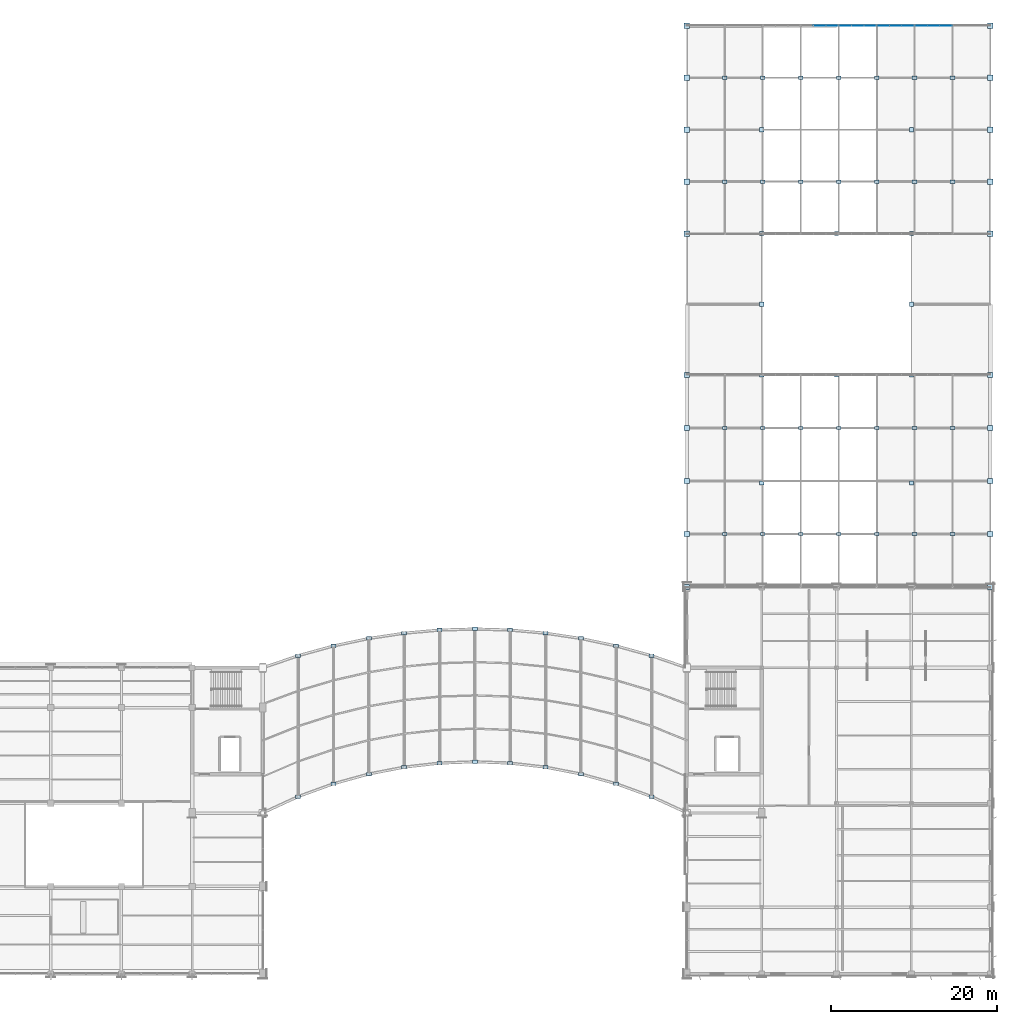
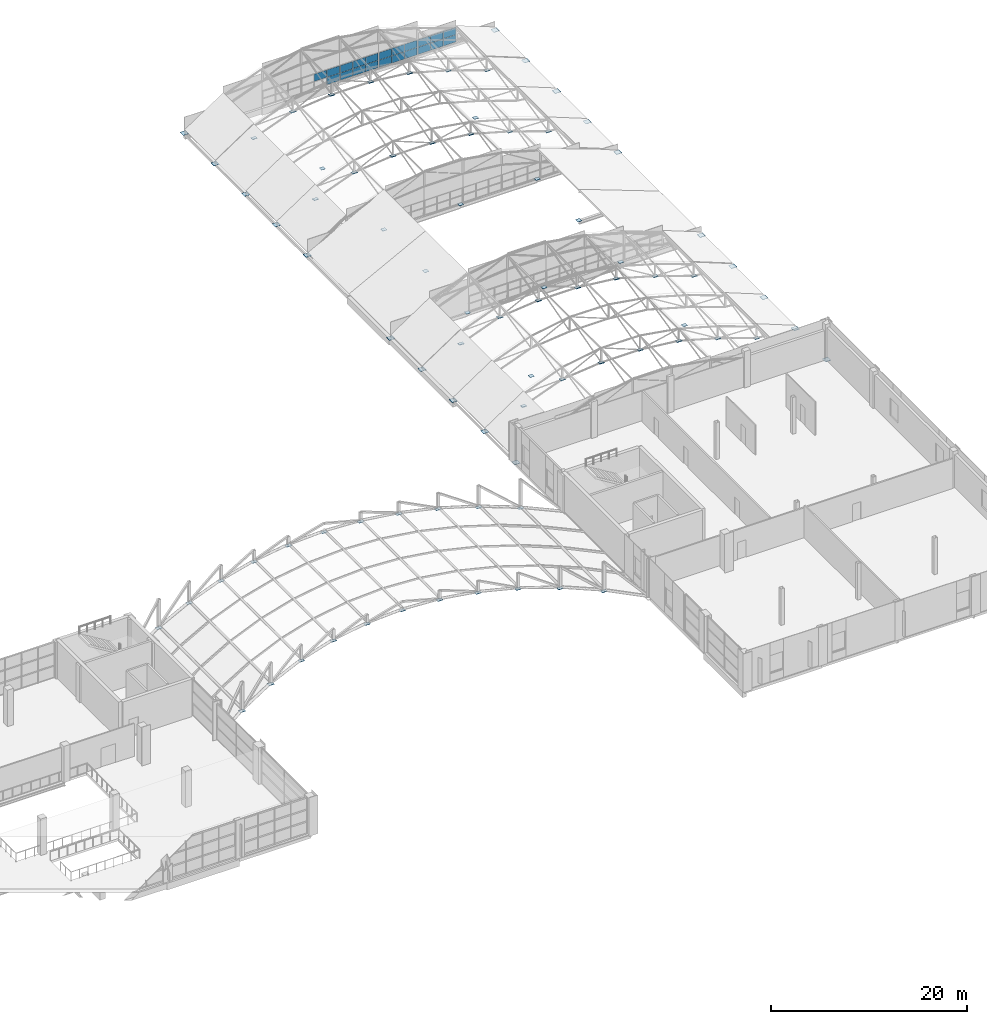
# One storey, part 81 of 101: 103 plates, 4 elements without a shape of their own.
"""IFC4 building model written with IfcOpenShell, lengths in metres."""

from ifc_helpers import new_model, si_unit, direction, frame, origin, origin_2d, place, context, subcontext, project, spatial, rectangle, extrude, material, layer, layer_set, type_object, element, aggregate, save


model = new_model("IFC4")

# Units and contexts
model_context = context("Model", 3, precision=1e-05, world=origin(), true_north=direction((0.0, 1.0)))
body_context = subcontext(model_context, "Body", "Model", "MODEL_VIEW")
ifc_project = project(units=[si_unit("LENGTHUNIT", "METRE"), si_unit("AREAUNIT", "SQUARE_METRE"), si_unit("VOLUMEUNIT", "CUBIC_METRE"), si_unit("PLANEANGLEUNIT", "RADIAN"), si_unit("MASSUNIT", "GRAM", prefix="KILO")], contexts=[model_context])

# Site, building, storey
site_placement = place(None, origin())
site = spatial("IfcSite", under=ifc_project, at=site_placement, CompositionType="ELEMENT")
building_placement = place(site_placement, origin())
building = spatial("IfcBuilding", under=site, at=building_placement, Name="Solvikara Media Centre", CompositionType="ELEMENT")
storey_placement = place(building_placement, frame((0.0, 0.0, 10.199951171875)))
storey = spatial("IfcBuildingStorey", under=building, at=storey_placement, Name="L02", CompositionType="ELEMENT", Elevation=10.199951171875)

# Plates
ifc_material_1 = material(Name="Steel S355JR", Category="steel")
ifc_layer_1 = layer(ifc_material_1, 0.02001953125)
ifc_layer_set_1 = layer_set([ifc_layer_1], Name="Steel S355JR")
plate_type_1 = type_object("IfcPlateType", Name="PL-03", PredefinedType="USERDEFINED", material=ifc_layer_set_1)
for number, where, z_axis, x_axis, name in (
    (1, (132.06201171875, 52.875, 1.447998046875), (0.0, 0.0, 1.0), (1.0, 0.0, 0.0), "GP-BSA-01-01"),
    (2, (136.625, 52.875, 3.157958984375), (0.0, 0.0, 1.0), (1.0, 0.0, 0.0), "GP-BSA-01-02"),
    (3, (141.18798828125, 52.875, 3.64013671875), (0.0, 0.0, 1.0), (1.0, 0.0, 0.0), "GP-BSA-01-03"),
    (4, (145.75, 52.875, 3.64013671875), (0.0, 0.0, 1.0), (1.0, 0.0, 0.0), "GP-BSA-01-04"),
    (5, (150.31201171875, 52.875, 3.14892578125), (0.0, 0.0, 1.0), (1.0, 0.0, 0.0), "GP-BSA-01-05"),
    (6, (154.875, 52.875, 1.85595703125), (0.0, 0.0, 1.0), (1.0, 0.0, 0.0), "GP-BSA-01-06"),
    (7, (159.43798828125, 52.875, 0.2900390625), (0.0, 0.0, 1.0), (1.0, 0.0, 0.0), "GP-BSA-01-07"),
    (8, (132.06201171875, 65.625, 1.447998046875), (0.0, 0.0, 1.0), (1.0, 0.0, 0.0), "GP-BSA-03-01"),
    (9, (136.625, 65.625, 3.157958984375), (0.0, 0.0, 1.0), (1.0, 0.0, 0.0), "GP-BSA-03-02"),
    (10, (141.18798828125, 65.625, 3.64013671875), (0.0, 0.0, 1.0), (1.0, 0.0, 0.0), "GP-BSA-03-03"),
    (11, (145.75, 65.625, 3.64013671875), (0.0, 0.0, 1.0), (1.0, 0.0, 0.0), "GP-BSA-03-04"),
    (12, (150.31201171875, 65.625, 3.14892578125), (0.0, 0.0, 1.0), (1.0, 0.0, 0.0), "GP-BSA-03-05"),
    (13, (154.875, 65.625, 1.85595703125), (0.0, 0.0, 1.0), (1.0, 0.0, 0.0), "GP-BSA-03-06"),
    (14, (159.43798828125, 65.625, 0.2900390625), (0.0, 0.0, 1.0), (1.0, 0.0, 0.0), "GP-BSA-03-07"),
    (15, (132.06201171875, 95.25, 1.447998046875), (0.0, 0.0, 1.0), (1.0, 0.0, 0.0), "GP-BSB-01-01"),
    (16, (136.625, 95.25, 3.157958984375), (0.0, 0.0, 1.0), (1.0, 0.0, 0.0), "GP-BSB-01-02"),
    (17, (141.18798828125, 95.25, 3.64013671875), (0.0, 0.0, 1.0), (1.0, 0.0, 0.0), "GP-BSB-01-03"),
    (18, (145.75, 95.25, 3.64013671875), (0.0, 0.0, 1.0), (1.0, 0.0, 0.0), "GP-BSB-01-04"),
    (19, (150.31201171875, 95.25, 3.14892578125), (0.0, 0.0, 1.0), (1.0, 0.0, 0.0), "GP-BSB-01-05"),
    (20, (154.875, 95.25, 1.85595703125), (0.0, 0.0, 1.0), (1.0, 0.0, 0.0), "GP-BSB-01-06"),
    (21, (159.43798828125, 95.25, 0.2900390625), (0.0, 0.0, 1.0), (1.0, 0.0, 0.0), "GP-BSB-01-07"),
    (22, (132.06201171875, 107.75, 1.447998046875), (0.0, 0.0, 1.0), (1.0, 0.0, 0.0), "GP-BSB-03-01"),
    (23, (136.625, 107.75, 3.157958984375), (0.0, 0.0, 1.0), (1.0, 0.0, 0.0), "GP-BSB-03-02"),
    (24, (141.18798828125, 107.75, 3.64013671875), (0.0, 0.0, 1.0), (1.0, 0.0, 0.0), "GP-BSB-03-03"),
    (25, (145.75, 107.75, 3.64013671875), (0.0, 0.0, 1.0), (1.0, 0.0, 0.0), "GP-BSB-03-04"),
    (26, (150.31201171875, 107.75, 3.14892578125), (0.0, 0.0, 1.0), (1.0, 0.0, 0.0), "GP-BSB-03-05"),
    (27, (154.875, 107.75, 1.85595703125), (0.0, 0.0, 1.0), (1.0, 0.0, 0.0), "GP-BSB-03-06"),
    (28, (159.43798828125, 107.75, 0.2900390625), (0.0, 0.0, 1.0), (1.0, 0.0, 0.0), "GP-BSB-03-07"),
):
    element("IfcPlate", number, at=place(storey_placement, frame(where, z_axis=z_axis, x_axis=x_axis)), inside=storey, type_object=plate_type_1, Name=name, ObjectType="GUSSET PLATE", PredefinedType="USERDEFINED", context=body_context, shape_type="SweptSolid", body=[
        extrude(rectangle(XDim=0.550048828125, YDim=0.39990234375, at=origin_2d()), origin(), (0.0, 0.0, 1.0), 0.02001953125),
    ])
ifc_layer_2 = layer(ifc_material_1, 0.02197265625)
ifc_layer_set_2 = layer_set([ifc_layer_2], Name="Steel S355JR")
plate_type_2 = type_object("IfcPlateType", Name="PL-04", PredefinedType="USERDEFINED", material=ifc_layer_set_2)
for number, where, z_axis, x_axis, name in (
    (29, (80.75, 21.279052734375, 0.6640625), (0.0, 0.0, 1.0), (1.0, 0.0, 0.0), "GP-ARC-S-01"),
    (30, (85.0, 22.823974609375, 1.5771484375), (0.0, 0.0, 1.0), (1.0, 0.0, 0.0), "GP-ARC-S-02"),
    (31, (89.25, 23.99609375, 2.287109375), (0.0, 0.0, 1.0), (1.0, 0.0, 0.0), "GP-ARC-S-03"),
    (32, (93.5, 24.818115234375, 2.79296875), (0.0, 0.0, 1.0), (1.0, 0.0, 0.0), "GP-ARC-S-04"),
    (33, (97.75, 25.304931640625, 3.09814453125), (0.0, 0.0, 1.0), (1.0, 0.0, 0.0), "GP-ARC-S-05"),
    (34, (102.0, 25.467041015625, 3.198974609375), (0.0, 0.0, 1.0), (1.0, 0.0, 0.0), "GP-ARC-S-06"),
    (35, (106.25, 25.304931640625, 3.09814453125), (0.0, 0.0, 1.0), (1.0, 0.0, 0.0), "GP-ARC-S-07"),
    (36, (110.5, 24.818115234375, 2.79296875), (0.0, 0.0, 1.0), (1.0, 0.0, 0.0), "GP-ARC-S-08"),
    (37, (114.75, 23.99609375, 2.287109375), (0.0, 0.0, 1.0), (1.0, 0.0, 0.0), "GP-ARC-S-09"),
    (38, (119.0, 22.823974609375, 1.5771484375), (0.0, 0.0, 1.0), (1.0, 0.0, 0.0), "GP-ARC-S-10"),
    (39, (123.25, 21.279052734375, 0.6640625), (0.0, 0.0, 1.0), (1.0, 0.0, 0.0), "GP-ARC-S-11"),
    (40, (80.75, 38.260009765625, 0.6640625), (0.0, 0.0, 1.0), (1.0, 0.0, 0.0), "GP-ARC-N-01"),
    (41, (85.0, 39.430908203125, 1.5771484375), (0.0, 0.0, 1.0), (1.0, 0.0, 0.0), "GP-ARC-N-02"),
    (42, (89.25, 40.3291015625, 2.287109375), (0.0, 0.0, 1.0), (1.0, 0.0, 0.0), "GP-ARC-N-03"),
    (43, (93.5, 40.964111328125, 2.79296875), (0.0, 0.0, 1.0), (1.0, 0.0, 0.0), "GP-ARC-N-04"),
    (44, (97.75, 41.341064453125, 3.09814453125), (0.0, 0.0, 1.0), (1.0, 0.0, 0.0), "GP-ARC-N-05"),
    (45, (102.0, 41.467041015625, 3.198974609375), (0.0, 0.0, 1.0), (1.0, 0.0, 0.0), "GP-ARC-N-06"),
    (46, (106.25, 41.341064453125, 3.09814453125), (0.0, 0.0, 1.0), (1.0, 0.0, 0.0), "GP-ARC-N-07"),
    (47, (110.5, 40.964111328125, 2.79296875), (0.0, 0.0, 1.0), (1.0, 0.0, 0.0), "GP-ARC-N-08"),
    (48, (114.75, 40.3291015625, 2.287109375), (0.0, 0.0, 1.0), (1.0, 0.0, 0.0), "GP-ARC-N-09"),
    (49, (119.0, 39.430908203125, 1.5771484375), (0.0, 0.0, 1.0), (1.0, 0.0, 0.0), "GP-ARC-N-10"),
    (50, (123.25, 38.260009765625, 0.6640625), (0.0, 0.0, 1.0), (1.0, 0.0, 0.0), "GP-ARC-N-11"),
):
    element("IfcPlate", number, at=place(storey_placement, frame(where, z_axis=z_axis, x_axis=x_axis)), inside=storey, type_object=plate_type_2, Name=name, ObjectType="GUSSET PLATE", PredefinedType="USERDEFINED", context=body_context, shape_type="SweptSolid", body=[
        extrude(rectangle(XDim=0.60009765625, YDim=0.419921875, at=origin_2d()), origin(), (0.0, 0.0, 1.0), 0.02197265625),
    ])
ifc_layer_3 = layer(ifc_material_1, 0.028076171875)
ifc_layer_set_3 = layer_set([ifc_layer_3], Name="Steel S355JR")
plate_type_3 = type_object("IfcPlateType", Name="PL-07", PredefinedType="USERDEFINED", material=ifc_layer_set_3)
for number, where, z_axis, x_axis, name in (
    (51, (127.5, 46.5, -0.1337890625), (0.0, 0.0, 1.0), (1.0, 0.0, 0.0), "BP-BSA-W00"),
    (52, (164.0, 46.5, -0.1337890625), (0.0, 0.0, 1.0), (1.0, 0.0, 0.0), "BP-BSA-E00"),
    (53, (127.5, 52.875, -0.1337890625), (0.0, 0.0, 1.0), (1.0, 0.0, 0.0), "BP-BSA-W01"),
    (54, (164.0, 52.875, -0.1337890625), (0.0, 0.0, 1.0), (1.0, 0.0, 0.0), "BP-BSA-E01"),
    (55, (127.5, 59.25, -0.1337890625), (0.0, 0.0, 1.0), (1.0, 0.0, 0.0), "BP-BSA-W02"),
    (56, (164.0, 59.25, -0.1337890625), (0.0, 0.0, 1.0), (1.0, 0.0, 0.0), "BP-BSA-E02"),
    (57, (127.5, 65.625, -0.1337890625), (0.0, 0.0, 1.0), (1.0, 0.0, 0.0), "BP-BSA-W03"),
    (58, (164.0, 65.625, -0.1337890625), (0.0, 0.0, 1.0), (1.0, 0.0, 0.0), "BP-BSA-E03"),
    (59, (127.5, 72.0, -0.1337890625), (0.0, 0.0, 1.0), (1.0, 0.0, 0.0), "BP-BSA-W04"),
    (60, (164.0, 72.0, -0.1337890625), (0.0, 0.0, 1.0), (1.0, 0.0, 0.0), "BP-BSA-E04"),
    (61, (127.5, 89.0, -0.1337890625), (0.0, 0.0, 1.0), (1.0, 0.0, 0.0), "BP-BSB-W00"),
    (62, (164.0, 89.0, -0.1337890625), (0.0, 0.0, 1.0), (1.0, 0.0, 0.0), "BP-BSB-E00"),
    (63, (127.5, 95.25, -0.1337890625), (0.0, 0.0, 1.0), (1.0, 0.0, 0.0), "BP-BSB-W01"),
    (64, (164.0, 95.25, -0.1337890625), (0.0, 0.0, 1.0), (1.0, 0.0, 0.0), "BP-BSB-E01"),
    (65, (127.5, 101.5, -0.1337890625), (0.0, 0.0, 1.0), (1.0, 0.0, 0.0), "BP-BSB-W02"),
    (66, (164.0, 101.5, -0.1337890625), (0.0, 0.0, 1.0), (1.0, 0.0, 0.0), "BP-BSB-E02"),
    (67, (127.5, 107.75, -0.1337890625), (0.0, 0.0, 1.0), (1.0, 0.0, 0.0), "BP-BSB-W03"),
    (68, (164.0, 107.75, -0.1337890625), (0.0, 0.0, 1.0), (1.0, 0.0, 0.0), "BP-BSB-E03"),
    (69, (127.5, 114.0, -0.1337890625), (0.0, 0.0, 1.0), (1.0, 0.0, 0.0), "BP-BSB-W04"),
    (70, (164.0, 114.0, -0.1337890625), (0.0, 0.0, 1.0), (1.0, 0.0, 0.0), "BP-BSB-E04"),
):
    element("IfcPlate", number, at=place(storey_placement, frame(where, z_axis=z_axis, x_axis=x_axis)), inside=storey, type_object=plate_type_3, Name=name, ObjectType="BASE PLATE", PredefinedType="USERDEFINED", context=body_context, shape_type="SweptSolid", body=[
        extrude(rectangle(XDim=0.64990234375, YDim=0.64990234375, at=origin_2d()), origin(), (0.0, 0.0, 1.0), 0.028076171875),
    ])
ifc_layer_4 = layer(ifc_material_1, 0.01806640625)
ifc_layer_set_4 = layer_set([ifc_layer_4], Name="Steel S355JR")
plate_type_4 = type_object("IfcPlateType", Name="PL-09", PredefinedType="USERDEFINED", material=ifc_layer_set_4)
for number, where, z_axis, x_axis, name in (
    (71, (136.5, 59.0, -0.10009765625), (0.0, 0.0, 1.0), (1.0, 0.0, 0.0), "CAP-CL27-1365-0590"),
    (72, (136.5, 72.0, -0.10009765625), (0.0, 0.0, 1.0), (1.0, 0.0, 0.0), "CAP-CL27-1365-0720"),
    (73, (136.5, 80.5, -0.10009765625), (0.0, 0.0, 1.0), (1.0, 0.0, 0.0), "CAP-CL27-1365-0805"),
    (74, (136.5, 89.0, -0.10009765625), (0.0, 0.0, 1.0), (1.0, 0.0, 0.0), "CAP-CL27-1365-0890"),
    (75, (136.5, 101.5, -0.10009765625), (0.0, 0.0, 1.0), (1.0, 0.0, 0.0), "CAP-CL27-1365-1015"),
    (76, (145.5, 72.0, -0.10009765625), (0.0, 0.0, 1.0), (1.0, 0.0, 0.0), "CAP-CL27-1455-0720"),
    (77, (145.5, 89.0, -0.10009765625), (0.0, 0.0, 1.0), (1.0, 0.0, 0.0), "CAP-CL27-1455-0890"),
    (78, (154.5, 59.0, -0.10009765625), (0.0, 0.0, 1.0), (1.0, 0.0, 0.0), "CAP-CL27-1545-0590"),
    (79, (154.5, 72.0, -0.10009765625), (0.0, 0.0, 1.0), (1.0, 0.0, 0.0), "CAP-CL27-1545-0720"),
    (80, (154.5, 80.5, -0.10009765625), (0.0, 0.0, 1.0), (1.0, 0.0, 0.0), "CAP-CL27-1545-0805"),
    (81, (154.5, 89.0, -0.10009765625), (0.0, 0.0, 1.0), (1.0, 0.0, 0.0), "CAP-CL27-1545-0890"),
    (82, (154.5, 101.5, -0.10009765625), (0.0, 0.0, 1.0), (1.0, 0.0, 0.0), "CAP-CL27-1545-1015"),
):
    element("IfcPlate", number, at=place(storey_placement, frame(where, z_axis=z_axis, x_axis=x_axis)), inside=storey, type_object=plate_type_4, Name=name, ObjectType="BASE PLATE", PredefinedType="USERDEFINED", context=body_context, shape_type="SweptSolid", body=[
        extrude(rectangle(XDim=0.5, YDim=0.5, at=origin_2d()), origin(), (0.0, 0.0, 1.0), 0.01806640625),
    ])

# Curtain wall, plates
ifc_material_2 = material(Name="Anodised aluminium EN AW-6063", Category="aluminium")
curtain_wall_type = type_object("IfcCurtainWallType", Name="CW-12", PredefinedType="NOTDEFINED", material=ifc_material_2)
curtain_wall_1_placement = place(storey_placement, origin())
curtain_wall_1 = element("IfcCurtainWall", 83, at=curtain_wall_1_placement, inside=storey, type_object=curtain_wall_type, Name="CW-BSBN-CLR-03", PredefinedType="NOTDEFINED")
ifc_material_3 = material(Name="Ceramic-fritted teal low-E glass", Category="glass")
ifc_layer_5 = layer(ifc_material_3, 0.0380859375)
ifc_layer_set_5 = layer_set([ifc_layer_5], Name="Ceramic-fritted teal low-E glass")
plate_type_5 = type_object("IfcPlateType", Name="PN-12", PredefinedType="CURTAIN_PANEL", material=ifc_layer_set_5)
plate_1_placement = place(storey_placement, frame((143.468994140625, 114.0, 0.965087890625), z_axis=(0.0, 0.0, 1.0), x_axis=(1.0, 0.0, 0.0)))
plate_1 = element("IfcPlate", 84, at=plate_1_placement, type_object=plate_type_5, Name="CW-BSBN-CLR-03-P0101", PredefinedType="CURTAIN_PANEL", context=body_context, shape_type="SweptSolid", body=[
    extrude(rectangle(XDim=1.467041015625, YDim=0.0380859375, at=origin_2d()), origin(), (0.0, 0.0, 1.0), 0.89990234375),
])
plate_2_placement = place(storey_placement, frame((144.966064453125, 114.0, 0.03515625), z_axis=(0.0, 0.0, 1.0), x_axis=(1.0, 0.0, 0.0)))
plate_2 = element("IfcPlate", 85, at=plate_2_placement, type_object=plate_type_5, Name="CW-BSBN-CLR-03-P0200", PredefinedType="CURTAIN_PANEL", context=body_context, shape_type="SweptSolid", body=[
    extrude(rectangle(XDim=1.467041015625, YDim=0.0380859375, at=origin_2d()), origin(), (0.0, 0.0, 1.0), 0.89990234375),
])
plate_3_placement = place(storey_placement, frame((144.966064453125, 114.0, 0.965087890625), z_axis=(0.0, 0.0, 1.0), x_axis=(1.0, 0.0, 0.0)))
plate_3 = element("IfcPlate", 86, at=plate_3_placement, type_object=plate_type_5, Name="CW-BSBN-CLR-03-P0201", PredefinedType="CURTAIN_PANEL", context=body_context, shape_type="SweptSolid", body=[
    extrude(rectangle(XDim=1.467041015625, YDim=0.0380859375, at=origin_2d()), origin(), (0.0, 0.0, 1.0), 0.89990234375),
])
aggregate(curtain_wall_1, [plate_1, plate_2, plate_3])

curtain_wall_2_placement = place(storey_placement, origin())
curtain_wall_2 = element("IfcCurtainWall", 87, at=curtain_wall_2_placement, inside=storey, type_object=curtain_wall_type, Name="CW-BSBN-CLR-04", PredefinedType="NOTDEFINED")
plate_4_placement = place(storey_placement, frame((146.533935546875, 114.0, 0.03515625), z_axis=(0.0, 0.0, 1.0), x_axis=(1.0, 0.0, 0.0)))
plate_4 = element("IfcPlate", 88, at=plate_4_placement, type_object=plate_type_5, Name="CW-BSBN-CLR-04-P0000", PredefinedType="CURTAIN_PANEL", context=body_context, shape_type="SweptSolid", body=[
    extrude(rectangle(XDim=1.467041015625, YDim=0.0380859375, at=origin_2d()), origin(), (0.0, 0.0, 1.0), 0.89990234375),
])
plate_5_placement = place(storey_placement, frame((146.533935546875, 114.0, 0.965087890625), z_axis=(0.0, 0.0, 1.0), x_axis=(1.0, 0.0, 0.0)))
plate_5 = element("IfcPlate", 89, at=plate_5_placement, type_object=plate_type_5, Name="CW-BSBN-CLR-04-P0001", PredefinedType="CURTAIN_PANEL", context=body_context, shape_type="SweptSolid", body=[
    extrude(rectangle(XDim=1.467041015625, YDim=0.0380859375, at=origin_2d()), origin(), (0.0, 0.0, 1.0), 0.89990234375),
])
plate_6_placement = place(storey_placement, frame((148.031005859375, 114.0, 0.03515625), z_axis=(0.0, 0.0, 1.0), x_axis=(1.0, 0.0, 0.0)))
plate_6 = element("IfcPlate", 90, at=plate_6_placement, type_object=plate_type_5, Name="CW-BSBN-CLR-04-P0100", PredefinedType="CURTAIN_PANEL", context=body_context, shape_type="SweptSolid", body=[
    extrude(rectangle(XDim=1.467041015625, YDim=0.0380859375, at=origin_2d()), origin(), (0.0, 0.0, 1.0), 0.89990234375),
])
plate_7_placement = place(storey_placement, frame((148.031005859375, 114.0, 0.965087890625), z_axis=(0.0, 0.0, 1.0), x_axis=(1.0, 0.0, 0.0)))
plate_7 = element("IfcPlate", 91, at=plate_7_placement, type_object=plate_type_5, Name="CW-BSBN-CLR-04-P0101", PredefinedType="CURTAIN_PANEL", context=body_context, shape_type="SweptSolid", body=[
    extrude(rectangle(XDim=1.467041015625, YDim=0.0380859375, at=origin_2d()), origin(), (0.0, 0.0, 1.0), 0.89990234375),
])
plate_8_placement = place(storey_placement, frame((149.528076171875, 114.0, 0.03515625), z_axis=(0.0, 0.0, 1.0), x_axis=(1.0, 0.0, 0.0)))
plate_8 = element("IfcPlate", 92, at=plate_8_placement, type_object=plate_type_5, Name="CW-BSBN-CLR-04-P0200", PredefinedType="CURTAIN_PANEL", context=body_context, shape_type="SweptSolid", body=[
    extrude(rectangle(XDim=1.467041015625, YDim=0.0380859375, at=origin_2d()), origin(), (0.0, 0.0, 1.0), 0.89990234375),
])
plate_9_placement = place(storey_placement, frame((149.528076171875, 114.0, 0.965087890625), z_axis=(0.0, 0.0, 1.0), x_axis=(1.0, 0.0, 0.0)))
plate_9 = element("IfcPlate", 93, at=plate_9_placement, type_object=plate_type_5, Name="CW-BSBN-CLR-04-P0201", PredefinedType="CURTAIN_PANEL", context=body_context, shape_type="SweptSolid", body=[
    extrude(rectangle(XDim=1.467041015625, YDim=0.0380859375, at=origin_2d()), origin(), (0.0, 0.0, 1.0), 0.89990234375),
])
aggregate(curtain_wall_2, [plate_4, plate_5, plate_6, plate_7, plate_8, plate_9])

curtain_wall_3_placement = place(storey_placement, origin())
curtain_wall_3 = element("IfcCurtainWall", 94, at=curtain_wall_3_placement, inside=storey, type_object=curtain_wall_type, Name="CW-BSBN-CLR-05", PredefinedType="NOTDEFINED")
plate_10_placement = place(storey_placement, frame((151.095947265625, 114.0, 0.03515625), z_axis=(0.0, 0.0, 1.0), x_axis=(1.0, 0.0, 0.0)))
plate_10 = element("IfcPlate", 95, at=plate_10_placement, type_object=plate_type_5, Name="CW-BSBN-CLR-05-P0000", PredefinedType="CURTAIN_PANEL", context=body_context, shape_type="SweptSolid", body=[
    extrude(rectangle(XDim=1.468017578125, YDim=0.0380859375, at=origin_2d()), origin(), (0.0, 0.0, 1.0), 0.89990234375),
])
plate_11_placement = place(storey_placement, frame((151.095947265625, 114.0, 0.965087890625), z_axis=(0.0, 0.0, 1.0), x_axis=(1.0, 0.0, 0.0)))
plate_11 = element("IfcPlate", 96, at=plate_11_placement, type_object=plate_type_5, Name="CW-BSBN-CLR-05-P0001", PredefinedType="CURTAIN_PANEL", context=body_context, shape_type="SweptSolid", body=[
    extrude(rectangle(XDim=1.468017578125, YDim=0.0380859375, at=origin_2d()), origin(), (0.0, 0.0, 1.0), 0.89990234375),
])
plate_12_placement = place(storey_placement, frame((152.593017578125, 114.0, 0.03515625), z_axis=(0.0, 0.0, 1.0), x_axis=(1.0, 0.0, 0.0)))
plate_12 = element("IfcPlate", 97, at=plate_12_placement, type_object=plate_type_5, Name="CW-BSBN-CLR-05-P0100", PredefinedType="CURTAIN_PANEL", context=body_context, shape_type="SweptSolid", body=[
    extrude(rectangle(XDim=1.468017578125, YDim=0.0380859375, at=origin_2d()), origin(), (0.0, 0.0, 1.0), 0.89990234375),
])
plate_13_placement = place(storey_placement, frame((152.593017578125, 114.0, 0.965087890625), z_axis=(0.0, 0.0, 1.0), x_axis=(1.0, 0.0, 0.0)))
plate_13 = element("IfcPlate", 98, at=plate_13_placement, type_object=plate_type_5, Name="CW-BSBN-CLR-05-P0101", PredefinedType="CURTAIN_PANEL", context=body_context, shape_type="SweptSolid", body=[
    extrude(rectangle(XDim=1.468017578125, YDim=0.0380859375, at=origin_2d()), origin(), (0.0, 0.0, 1.0), 0.89990234375),
])
plate_14_placement = place(storey_placement, frame((154.091064453125, 114.0, 0.03515625), z_axis=(0.0, 0.0, 1.0), x_axis=(1.0, 0.0, 0.0)))
plate_14 = element("IfcPlate", 99, at=plate_14_placement, type_object=plate_type_5, Name="CW-BSBN-CLR-05-P0200", PredefinedType="CURTAIN_PANEL", context=body_context, shape_type="SweptSolid", body=[
    extrude(rectangle(XDim=1.468017578125, YDim=0.0380859375, at=origin_2d()), origin(), (0.0, 0.0, 1.0), 0.89990234375),
])
plate_15_placement = place(storey_placement, frame((154.091064453125, 114.0, 0.965087890625), z_axis=(0.0, 0.0, 1.0), x_axis=(1.0, 0.0, 0.0)))
plate_15 = element("IfcPlate", 100, at=plate_15_placement, type_object=plate_type_5, Name="CW-BSBN-CLR-05-P0201", PredefinedType="CURTAIN_PANEL", context=body_context, shape_type="SweptSolid", body=[
    extrude(rectangle(XDim=1.468017578125, YDim=0.0380859375, at=origin_2d()), origin(), (0.0, 0.0, 1.0), 0.89990234375),
])
aggregate(curtain_wall_3, [plate_10, plate_11, plate_12, plate_13, plate_14, plate_15])

curtain_wall_4_placement = place(storey_placement, origin())
curtain_wall_4 = element("IfcCurtainWall", 101, at=curtain_wall_4_placement, inside=storey, type_object=curtain_wall_type, Name="CW-BSBN-CLR-06", PredefinedType="NOTDEFINED")
plate_16_placement = place(storey_placement, frame((155.658935546875, 114.0, 0.03515625), z_axis=(0.0, 0.0, 1.0), x_axis=(1.0, 0.0, 0.0)))
plate_16 = element("IfcPlate", 102, at=plate_16_placement, type_object=plate_type_5, Name="CW-BSBN-CLR-06-P0000", PredefinedType="CURTAIN_PANEL", context=body_context, shape_type="SweptSolid", body=[
    extrude(rectangle(XDim=1.468017578125, YDim=0.0380859375, at=origin_2d()), origin(), (0.0, 0.0, 1.0), 0.89990234375),
])
plate_17_placement = place(storey_placement, frame((155.658935546875, 114.0, 0.965087890625), z_axis=(0.0, 0.0, 1.0), x_axis=(1.0, 0.0, 0.0)))
plate_17 = element("IfcPlate", 103, at=plate_17_placement, type_object=plate_type_5, Name="CW-BSBN-CLR-06-P0001", PredefinedType="CURTAIN_PANEL", context=body_context, shape_type="SweptSolid", body=[
    extrude(rectangle(XDim=1.468017578125, YDim=0.0380859375, at=origin_2d()), origin(), (0.0, 0.0, 1.0), 0.89990234375),
])
plate_18_placement = place(storey_placement, frame((157.156005859375, 114.0, 0.03515625), z_axis=(0.0, 0.0, 1.0), x_axis=(1.0, 0.0, 0.0)))
plate_18 = element("IfcPlate", 104, at=plate_18_placement, type_object=plate_type_5, Name="CW-BSBN-CLR-06-P0100", PredefinedType="CURTAIN_PANEL", context=body_context, shape_type="SweptSolid", body=[
    extrude(rectangle(XDim=1.468017578125, YDim=0.0380859375, at=origin_2d()), origin(), (0.0, 0.0, 1.0), 0.89990234375),
])
plate_19_placement = place(storey_placement, frame((157.156005859375, 114.0, 0.965087890625), z_axis=(0.0, 0.0, 1.0), x_axis=(1.0, 0.0, 0.0)))
plate_19 = element("IfcPlate", 105, at=plate_19_placement, type_object=plate_type_5, Name="CW-BSBN-CLR-06-P0101", PredefinedType="CURTAIN_PANEL", context=body_context, shape_type="SweptSolid", body=[
    extrude(rectangle(XDim=1.468017578125, YDim=0.0380859375, at=origin_2d()), origin(), (0.0, 0.0, 1.0), 0.89990234375),
])
plate_20_placement = place(storey_placement, frame((158.654052734375, 114.0, 0.03515625), z_axis=(0.0, 0.0, 1.0), x_axis=(1.0, 0.0, 0.0)))
plate_20 = element("IfcPlate", 106, at=plate_20_placement, type_object=plate_type_5, Name="CW-BSBN-CLR-06-P0200", PredefinedType="CURTAIN_PANEL", context=body_context, shape_type="SweptSolid", body=[
    extrude(rectangle(XDim=1.468017578125, YDim=0.0380859375, at=origin_2d()), origin(), (0.0, 0.0, 1.0), 0.89990234375),
])
plate_21_placement = place(storey_placement, frame((158.654052734375, 114.0, 0.965087890625), z_axis=(0.0, 0.0, 1.0), x_axis=(1.0, 0.0, 0.0)))
plate_21 = element("IfcPlate", 107, at=plate_21_placement, type_object=plate_type_5, Name="CW-BSBN-CLR-06-P0201", PredefinedType="CURTAIN_PANEL", context=body_context, shape_type="SweptSolid", body=[
    extrude(rectangle(XDim=1.468017578125, YDim=0.0380859375, at=origin_2d()), origin(), (0.0, 0.0, 1.0), 0.89990234375),
])
aggregate(curtain_wall_4, [plate_16, plate_17, plate_18, plate_19, plate_20, plate_21])

save(model, "model.ifc")
